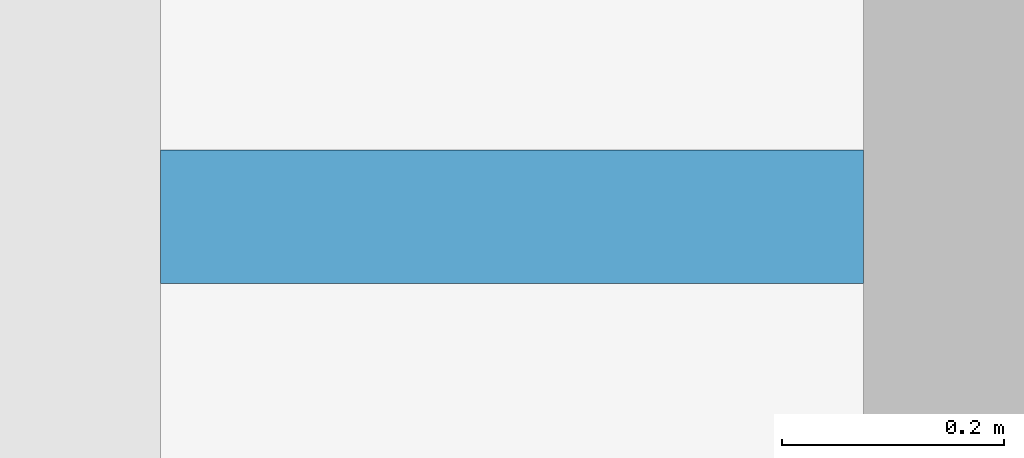
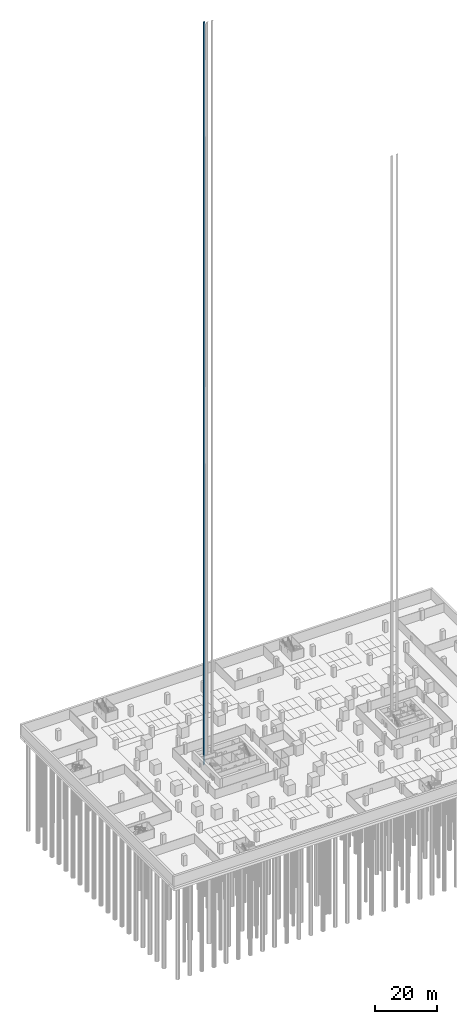
# One storey, part 22 of 40: 1 discrete accessory.
"""IFC4 building model written with IfcOpenShell, lengths in metres."""

import ifcopenshell
import ifcopenshell.guid

model = None  # the IFC model being written
_history = None  # IfcOwnerHistory: only IFC2X3 demands one
_inside = {}  # id of a spatial element -> (the spatial element, [elements in it])
_under = {}  # id of a project, library or spatial element -> (it, [spatial elements below it])
_declared = {}  # id of a project -> (the project, [libraries it declares])
_typed = {}  # id of a type object -> (the type object, [elements of that type])
_made_of = {}  # id of a material, layer set ... -> (it, [elements and type objects made of it])


def new_model(schema):
    """Start an empty IFC model of exactly this schema.

    Asked for "IFC4X3", IfcOpenShell would pick the latest addendum, in which some entities
    have other attributes; the version numbers below select the first issue.
    IFC2X3 requires an IfcOwnerHistory on every rooted entity: one is made here for all.
    """
    global model, _history
    if schema == "IFC4X3":
        model = ifcopenshell.file(schema_version=(4, 3, 0, 0))
    else:
        model = ifcopenshell.file(schema=schema)
    _inside.clear()
    _under.clear()
    _declared.clear()
    _typed.clear()
    _made_of.clear()
    _history = None
    if model.schema == "IFC2X3":
        org = make("IfcOrganization", Name="unknown")
        user = make(
            "IfcPersonAndOrganization",
            ThePerson=make("IfcPerson", FamilyName="unknown"),
            TheOrganization=org,
        )
        app = make(
            "IfcApplication",
            ApplicationDeveloper=org,
            Version="unknown",
            ApplicationFullName="unknown",
            ApplicationIdentifier="unknown",
        )
        _history = make(
            "IfcOwnerHistory",
            OwningUser=user,
            OwningApplication=app,
            ChangeAction="ADDED",
            CreationDate=0,
        )
    return model


def make(cls, **values):
    """One entity of the class cls with the attributes given. An attribute that is None is left unset."""
    return model.create_entity(
        cls, **{name: value for name, value in values.items() if value is not None}
    )


def rooted(cls, **values):
    """An entity with a GlobalId (a new one), such as an element, a storey or a relation."""
    return make(cls, GlobalId=ifcopenshell.guid.new(), OwnerHistory=_history, **values)


def si_unit(unit_type, name, prefix=None):
    """IfcSIUnit, for example si_unit("LENGTHUNIT", "METRE", prefix="MILLI")."""
    return make("IfcSIUnit", UnitType=unit_type, Prefix=prefix, Name=name)


def assignment(units):
    """IfcUnitAssignment: the units of a project."""
    return None if units is None else make("IfcUnitAssignment", Units=units)


def point(xyz):
    """IfcCartesianPoint."""
    return None if xyz is None else make("IfcCartesianPoint", Coordinates=xyz)


def direction(xyz):
    """IfcDirection."""
    return None if xyz is None else make("IfcDirection", DirectionRatios=xyz)


def frame(location, z_axis=None, x_axis=None):
    """IfcAxis2Placement3D, a coordinate frame: its origin and axes. An axis left out is left unset."""
    return make(
        "IfcAxis2Placement3D",
        Location=point(location),
        Axis=direction(z_axis),
        RefDirection=direction(x_axis),
    )


def frame_2d(location, x_axis=None):
    """IfcAxis2Placement2D, a coordinate frame in the plane: its origin and x axis."""
    return make(
        "IfcAxis2Placement2D", Location=point(location), RefDirection=direction(x_axis)
    )


def origin():
    """The frame at (0, 0, 0) with its axes left unset."""
    return frame((0.0, 0.0, 0.0))


def origin_2d():
    """The frame at (0, 0) in the plane with its x axis left unset."""
    return frame_2d((0.0, 0.0))


def place(relative_to, where):
    """IfcLocalPlacement: puts the frame where relative to a parent placement (None: the world)."""
    return make(
        "IfcLocalPlacement", PlacementRelTo=relative_to, RelativePlacement=where
    )


def context(
    kind, dimensions, precision=None, world=None, true_north=None, identifier=None
):
    """IfcGeometricRepresentationContext, for example the 3D "Model" context."""
    return make(
        "IfcGeometricRepresentationContext",
        ContextIdentifier=identifier,
        ContextType=kind,
        CoordinateSpaceDimension=dimensions,
        Precision=precision,
        WorldCoordinateSystem=world,
        TrueNorth=true_north,
    )


def subcontext(parent, identifier, kind, view, scale=None):
    """IfcGeometricRepresentationSubContext, for example "Body" below "Model"."""
    return make(
        "IfcGeometricRepresentationSubContext",
        ContextIdentifier=identifier,
        ContextType=kind,
        ParentContext=parent,
        TargetScale=scale,
        TargetView=view,
    )


def project(units=None, contexts=None):
    """IfcProject with its units and contexts."""
    return rooted(
        "IfcProject",
        Name="project",
        RepresentationContexts=contexts,
        UnitsInContext=assignment(units),
    )


def spatial(cls, under=None, at=None, **own):
    """A site, building, storey or space (cls), placed at a placement, below another one or the project."""
    s = rooted(cls, ObjectPlacement=at, **own)
    if under is not None:
        _under.setdefault(under.id(), (under, []))[1].append(s)
    return s


def profile(cls, at=None, kind="AREA", **sizes):
    """A parametric profile (cls). Its sizes go by their IFC names, for example OverallWidth=200.0."""
    return make(cls, ProfileType=kind, Position=at, **sizes)


def rectangle(**sizes):
    """IfcRectangleProfileDef."""
    return profile("IfcRectangleProfileDef", **sizes)


def extrude(swept, where, along, depth):
    """IfcExtrudedAreaSolid: the profile swept, set in the frame where, extruded along a direction by depth."""
    return make(
        "IfcExtrudedAreaSolid",
        SweptArea=swept,
        Position=where,
        ExtrudedDirection=direction(along),
        Depth=depth,
    )


def shape(context_of_items, identifier, shape_type, items):
    """IfcShapeRepresentation: the items that make up one representation, for example the "Body"."""
    return make(
        "IfcShapeRepresentation",
        ContextOfItems=context_of_items,
        RepresentationIdentifier=identifier,
        RepresentationType=shape_type,
        Items=items,
    )


def made_of(thing, what):
    """Note that an element or type object is made of a material, layer set ...; save() writes the relation."""
    if what is not None:
        _made_of.setdefault(what.id(), (what, []))[1].append(thing)
    return thing


def element(
    cls,
    number,
    at=None,
    inside=None,
    cuts=None,
    type_object=None,
    material=None,
    context=None,
    identifier="Body",
    shape_type=None,
    held_by="IfcProductDefinitionShape",
    body=None,
    shapes=None,
    **own,
):
    """One element of the class cls, such as IfcWall. Its Tag is "e" and its number.

    at: its placement. inside: the storey or other place that contains it. cuts: it is an
    opening in that element (IfcRelVoidsElement). A single representation is given by context,
    identifier, shape_type and body (its items); several are given by shapes. held_by: the class
    of the entity that holds the representations. save() writes the other relations.
    """
    e = rooted(cls, Tag="e%d" % number, ObjectPlacement=at, **own)
    if body is not None:
        shapes = [shape(context, identifier, shape_type, body)]
    if shapes is not None:
        e.Representation = make(held_by, Representations=shapes)
    if inside is not None:
        _inside.setdefault(inside.id(), (inside, []))[1].append(e)
    if cuts is not None:
        rooted(
            "IfcRelVoidsElement", RelatingBuildingElement=cuts, RelatedOpeningElement=e
        )
    if type_object is not None:
        _typed.setdefault(type_object.id(), (type_object, []))[1].append(e)
    return made_of(e, material)


def aggregate(whole, parts):
    """IfcRelAggregates: a whole, such as a stair, and the parts it consists of."""
    return rooted("IfcRelAggregates", RelatingObject=whole, RelatedObjects=parts)


def save(model, path):
    """Write the relations noted so far, then the file.

    IfcRelAggregates (storeys below a building ...), IfcRelContainedInSpatialStructure (elements
    in a storey), IfcRelDefinesByType, IfcRelAssociatesMaterial and IfcRelDeclares: one each for
    every whole, place, type object, material and project.
    """
    for whole, parts in _under.values():
        aggregate(whole, parts)
    for where, things in _inside.values():
        rooted(
            "IfcRelContainedInSpatialStructure",
            RelatedElements=things,
            RelatingStructure=where,
        )
    for kind, things in _typed.values():
        rooted("IfcRelDefinesByType", RelatedObjects=things, RelatingType=kind)
    for what, things in _made_of.values():
        rooted("IfcRelAssociatesMaterial", RelatedObjects=things, RelatingMaterial=what)
    for by, libraries in _declared.values():
        rooted("IfcRelDeclares", RelatingContext=by, RelatedDefinitions=libraries)
    model.write(path)


model = new_model("IFC4")

# Units and contexts
model_context = context("Model", 3, precision=1e-05, world=origin(), true_north=direction((0.0, 1.0)))
body_context = subcontext(model_context, "Body", "Model", "MODEL_VIEW")
ifc_project = project(units=[si_unit("LENGTHUNIT", "METRE"), si_unit("AREAUNIT", "SQUARE_METRE"), si_unit("VOLUMEUNIT", "CUBIC_METRE"), si_unit("PLANEANGLEUNIT", "RADIAN"), si_unit("MASSUNIT", "GRAM", prefix="KILO")], contexts=[model_context])

# Site, building, storey
site_placement = place(None, origin())
site = spatial("IfcSite", under=ifc_project, at=site_placement, CompositionType="ELEMENT")
building_placement = place(site_placement, origin())
building = spatial("IfcBuilding", under=site, at=building_placement, Name="Altepetl Exchange Towers", CompositionType="ELEMENT")
storey_placement = place(building_placement, frame((0.0, 0.0, -8.0)))
storey = spatial("IfcBuildingStorey", under=building, at=storey_placement, Name="B2 Basement parking", CompositionType="ELEMENT", Elevation=-8.0)

# Discrete accessory
discrete_accessory_placement = place(storey_placement, frame((43.75, 56.39990234375, -1.60009765625)))
element("IfcDiscreteAccessory", 1, at=discrete_accessory_placement, inside=storey, Name="Guide rail FFL1", ObjectType="GUIDE RAIL", PredefinedType="USERDEFINED", context=body_context, shape_type="SweptSolid", body=[
    extrude(rectangle(XDim=0.63330078125, YDim=0.1201171875, at=origin_2d()), origin(), (0.0, 0.0, 1.0), 291.699951171875),
])

save(model, "model.ifc")
